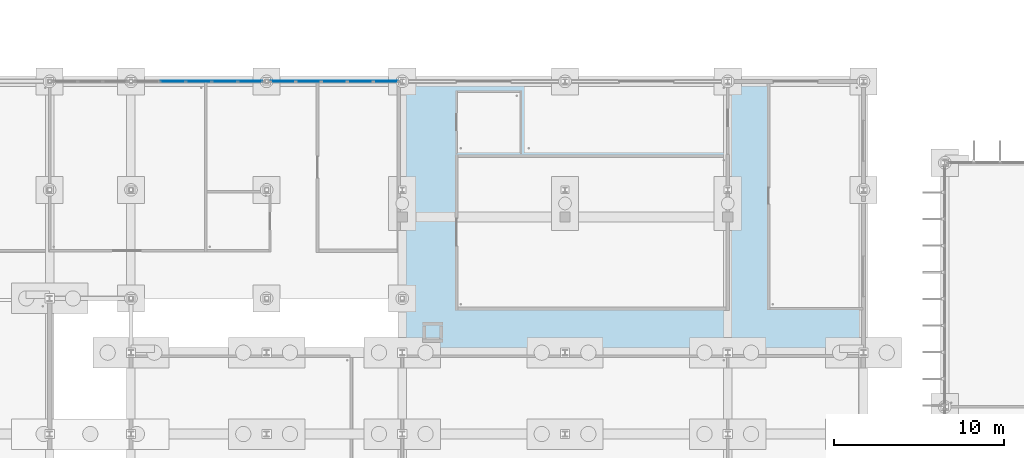
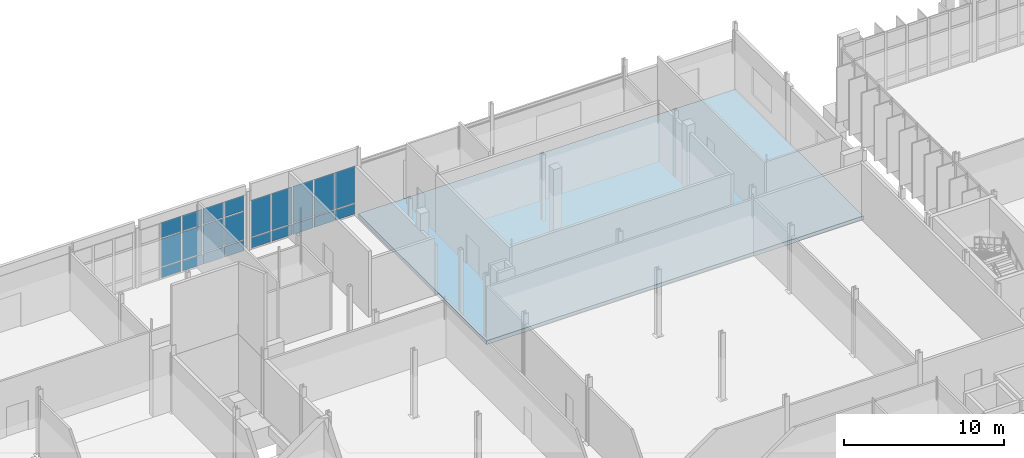
# One storey, part 45 of 111: 22 plates, 1 slab, 2 elements without a shape of their own.
"""IFC4 building model written with IfcOpenShell, lengths in metres."""

import ifcopenshell
import ifcopenshell.guid

model = None  # the IFC model being written
_history = None  # IfcOwnerHistory: only IFC2X3 demands one
_inside = {}  # id of a spatial element -> (the spatial element, [elements in it])
_under = {}  # id of a project, library or spatial element -> (it, [spatial elements below it])
_declared = {}  # id of a project -> (the project, [libraries it declares])
_typed = {}  # id of a type object -> (the type object, [elements of that type])
_made_of = {}  # id of a material, layer set ... -> (it, [elements and type objects made of it])


def new_model(schema):
    """Start an empty IFC model of exactly this schema.

    Asked for "IFC4X3", IfcOpenShell would pick the latest addendum, in which some entities
    have other attributes; the version numbers below select the first issue.
    IFC2X3 requires an IfcOwnerHistory on every rooted entity: one is made here for all.
    """
    global model, _history
    if schema == "IFC4X3":
        model = ifcopenshell.file(schema_version=(4, 3, 0, 0))
    else:
        model = ifcopenshell.file(schema=schema)
    _inside.clear()
    _under.clear()
    _declared.clear()
    _typed.clear()
    _made_of.clear()
    _history = None
    if model.schema == "IFC2X3":
        org = make("IfcOrganization", Name="unknown")
        user = make(
            "IfcPersonAndOrganization",
            ThePerson=make("IfcPerson", FamilyName="unknown"),
            TheOrganization=org,
        )
        app = make(
            "IfcApplication",
            ApplicationDeveloper=org,
            Version="unknown",
            ApplicationFullName="unknown",
            ApplicationIdentifier="unknown",
        )
        _history = make(
            "IfcOwnerHistory",
            OwningUser=user,
            OwningApplication=app,
            ChangeAction="ADDED",
            CreationDate=0,
        )
    return model


def make(cls, **values):
    """One entity of the class cls with the attributes given. An attribute that is None is left unset."""
    return model.create_entity(
        cls, **{name: value for name, value in values.items() if value is not None}
    )


def rooted(cls, **values):
    """An entity with a GlobalId (a new one), such as an element, a storey or a relation."""
    return make(cls, GlobalId=ifcopenshell.guid.new(), OwnerHistory=_history, **values)


def si_unit(unit_type, name, prefix=None):
    """IfcSIUnit, for example si_unit("LENGTHUNIT", "METRE", prefix="MILLI")."""
    return make("IfcSIUnit", UnitType=unit_type, Prefix=prefix, Name=name)


def assignment(units):
    """IfcUnitAssignment: the units of a project."""
    return None if units is None else make("IfcUnitAssignment", Units=units)


def point(xyz):
    """IfcCartesianPoint."""
    return None if xyz is None else make("IfcCartesianPoint", Coordinates=xyz)


def direction(xyz):
    """IfcDirection."""
    return None if xyz is None else make("IfcDirection", DirectionRatios=xyz)


def frame(location, z_axis=None, x_axis=None):
    """IfcAxis2Placement3D, a coordinate frame: its origin and axes. An axis left out is left unset."""
    return make(
        "IfcAxis2Placement3D",
        Location=point(location),
        Axis=direction(z_axis),
        RefDirection=direction(x_axis),
    )


def frame_2d(location, x_axis=None):
    """IfcAxis2Placement2D, a coordinate frame in the plane: its origin and x axis."""
    return make(
        "IfcAxis2Placement2D", Location=point(location), RefDirection=direction(x_axis)
    )


def origin():
    """The frame at (0, 0, 0) with its axes left unset."""
    return frame((0.0, 0.0, 0.0))


def origin_2d():
    """The frame at (0, 0) in the plane with its x axis left unset."""
    return frame_2d((0.0, 0.0))


def place(relative_to, where):
    """IfcLocalPlacement: puts the frame where relative to a parent placement (None: the world)."""
    return make(
        "IfcLocalPlacement", PlacementRelTo=relative_to, RelativePlacement=where
    )


def context(
    kind, dimensions, precision=None, world=None, true_north=None, identifier=None
):
    """IfcGeometricRepresentationContext, for example the 3D "Model" context."""
    return make(
        "IfcGeometricRepresentationContext",
        ContextIdentifier=identifier,
        ContextType=kind,
        CoordinateSpaceDimension=dimensions,
        Precision=precision,
        WorldCoordinateSystem=world,
        TrueNorth=true_north,
    )


def subcontext(parent, identifier, kind, view, scale=None):
    """IfcGeometricRepresentationSubContext, for example "Body" below "Model"."""
    return make(
        "IfcGeometricRepresentationSubContext",
        ContextIdentifier=identifier,
        ContextType=kind,
        ParentContext=parent,
        TargetScale=scale,
        TargetView=view,
    )


def project(units=None, contexts=None):
    """IfcProject with its units and contexts."""
    return rooted(
        "IfcProject",
        Name="project",
        RepresentationContexts=contexts,
        UnitsInContext=assignment(units),
    )


def spatial(cls, under=None, at=None, **own):
    """A site, building, storey or space (cls), placed at a placement, below another one or the project."""
    s = rooted(cls, ObjectPlacement=at, **own)
    if under is not None:
        _under.setdefault(under.id(), (under, []))[1].append(s)
    return s


def polyline(points):
    """IfcPolyline through the points."""
    return make("IfcPolyline", Points=[point(p) for p in points])


def profile(cls, at=None, kind="AREA", **sizes):
    """A parametric profile (cls). Its sizes go by their IFC names, for example OverallWidth=200.0."""
    return make(cls, ProfileType=kind, Position=at, **sizes)


def rectangle(**sizes):
    """IfcRectangleProfileDef."""
    return profile("IfcRectangleProfileDef", **sizes)


def outline(outer, holes=None, kind="AREA"):
    """IfcArbitraryClosedProfileDef: a profile drawn as a closed curve; with holes, ...WithVoids."""
    if holes is None:
        return make("IfcArbitraryClosedProfileDef", ProfileType=kind, OuterCurve=outer)
    return make(
        "IfcArbitraryProfileDefWithVoids",
        ProfileType=kind,
        OuterCurve=outer,
        InnerCurves=holes,
    )


def extrude(swept, where, along, depth):
    """IfcExtrudedAreaSolid: the profile swept, set in the frame where, extruded along a direction by depth."""
    return make(
        "IfcExtrudedAreaSolid",
        SweptArea=swept,
        Position=where,
        ExtrudedDirection=direction(along),
        Depth=depth,
    )


def shape(context_of_items, identifier, shape_type, items):
    """IfcShapeRepresentation: the items that make up one representation, for example the "Body"."""
    return make(
        "IfcShapeRepresentation",
        ContextOfItems=context_of_items,
        RepresentationIdentifier=identifier,
        RepresentationType=shape_type,
        Items=items,
    )


def material(Name=None, Category=None):
    """IfcMaterial."""
    return make("IfcMaterial", Name=Name, Category=Category)


def layer(
    of_material, thickness, ventilated=None, Name=None, Category=None, Priority=None
):
    """IfcMaterialLayer: one layer of a wall or slab, of a material (None: an air gap)."""
    return make(
        "IfcMaterialLayer",
        Material=of_material,
        LayerThickness=thickness,
        IsVentilated=ventilated,
        Name=Name,
        Category=Category,
        Priority=Priority,
    )


def layer_set(layers, Name=None):
    """IfcMaterialLayerSet."""
    return make("IfcMaterialLayerSet", MaterialLayers=layers, LayerSetName=Name)


def made_of(thing, what):
    """Note that an element or type object is made of a material, layer set ...; save() writes the relation."""
    if what is not None:
        _made_of.setdefault(what.id(), (what, []))[1].append(thing)
    return thing


def type_object(cls, material=None, **own):
    """A type object (cls), such as IfcWallType, which elements share."""
    return made_of(rooted(cls, **own), material)


def element(
    cls,
    number,
    at=None,
    inside=None,
    cuts=None,
    type_object=None,
    material=None,
    context=None,
    identifier="Body",
    shape_type=None,
    held_by="IfcProductDefinitionShape",
    body=None,
    shapes=None,
    **own,
):
    """One element of the class cls, such as IfcWall. Its Tag is "e" and its number.

    at: its placement. inside: the storey or other place that contains it. cuts: it is an
    opening in that element (IfcRelVoidsElement). A single representation is given by context,
    identifier, shape_type and body (its items); several are given by shapes. held_by: the class
    of the entity that holds the representations. save() writes the other relations.
    """
    e = rooted(cls, Tag="e%d" % number, ObjectPlacement=at, **own)
    if body is not None:
        shapes = [shape(context, identifier, shape_type, body)]
    if shapes is not None:
        e.Representation = make(held_by, Representations=shapes)
    if inside is not None:
        _inside.setdefault(inside.id(), (inside, []))[1].append(e)
    if cuts is not None:
        rooted(
            "IfcRelVoidsElement", RelatingBuildingElement=cuts, RelatedOpeningElement=e
        )
    if type_object is not None:
        _typed.setdefault(type_object.id(), (type_object, []))[1].append(e)
    return made_of(e, material)


def aggregate(whole, parts):
    """IfcRelAggregates: a whole, such as a stair, and the parts it consists of."""
    return rooted("IfcRelAggregates", RelatingObject=whole, RelatedObjects=parts)


def save(model, path):
    """Write the relations noted so far, then the file.

    IfcRelAggregates (storeys below a building ...), IfcRelContainedInSpatialStructure (elements
    in a storey), IfcRelDefinesByType, IfcRelAssociatesMaterial and IfcRelDeclares: one each for
    every whole, place, type object, material and project.
    """
    for whole, parts in _under.values():
        aggregate(whole, parts)
    for where, things in _inside.values():
        rooted(
            "IfcRelContainedInSpatialStructure",
            RelatedElements=things,
            RelatingStructure=where,
        )
    for kind, things in _typed.values():
        rooted("IfcRelDefinesByType", RelatedObjects=things, RelatingType=kind)
    for what, things in _made_of.values():
        rooted("IfcRelAssociatesMaterial", RelatedObjects=things, RelatingMaterial=what)
    for by, libraries in _declared.values():
        rooted("IfcRelDeclares", RelatingContext=by, RelatedDefinitions=libraries)
    model.write(path)


model = new_model("IFC4")

# Units and contexts
model_context = context("Model", 3, precision=1e-05, world=origin(), true_north=direction((0.0, 1.0)))
body_context = subcontext(model_context, "Body", "Model", "MODEL_VIEW")
ifc_project = project(units=[si_unit("LENGTHUNIT", "METRE"), si_unit("AREAUNIT", "SQUARE_METRE"), si_unit("VOLUMEUNIT", "CUBIC_METRE"), si_unit("PLANEANGLEUNIT", "RADIAN"), si_unit("MASSUNIT", "GRAM", prefix="KILO")], contexts=[model_context])

# Site, building, storey
site_placement = place(None, origin())
site = spatial("IfcSite", under=ifc_project, at=site_placement, CompositionType="ELEMENT")
building_placement = place(site_placement, origin())
building = spatial("IfcBuilding", under=site, at=building_placement, Name="Dunescarp Central Library", CompositionType="ELEMENT")
storey_placement = place(building_placement, origin())
storey = spatial("IfcBuildingStorey", under=building, at=storey_placement, Name="L00", CompositionType="ELEMENT", Elevation=0.0)

# Curtain wall, plates
ifc_material_1 = material(Name="Marine-grade anodised aluminium 6063-T6", Category="aluminium")
curtain_wall_type = type_object("IfcCurtainWallType", Name="ARC-CW-STICK", PredefinedType="NOTDEFINED", material=ifc_material_1)
curtain_wall_1_placement = place(storey_placement, origin())
curtain_wall_1 = element("IfcCurtainWall", 1, at=curtain_wall_1_placement, inside=storey, type_object=curtain_wall_type, Name="L00 curtain wall CW-CLN-191", PredefinedType="NOTDEFINED")
ifc_material_2 = material(Name="Solar-control laminated double glazing", Category="glass")
ifc_layer_1 = layer(ifc_material_2, 0.028076171875)
ifc_layer_set_1 = layer_set([ifc_layer_1], Name="Solar-control laminated double glazing")
plate_type_1 = type_object("IfcPlateType", Name="ARC-PLT-GLZ28", PredefinedType="CURTAIN_PANEL", material=ifc_layer_set_1)
plate_1_placement = place(storey_placement, frame((84.070068359375, 49.60009765625, 0.93994140625), z_axis=(0.0, 0.0, 1.0), x_axis=(1.0, 0.0, 0.0)))
plate_1 = element("IfcPlate", 2, at=plate_1_placement, type_object=plate_type_1, Name="CW-CLN-191 panel 2.2", PredefinedType="CURTAIN_PANEL", context=body_context, shape_type="SweptSolid", body=[
    extrude(rectangle(XDim=1.449951171875, YDim=0.028076171875, at=origin_2d()), origin(), (0.0, 0.0, 1.0), 2.1201171875),
])
plate_2_placement = place(storey_placement, frame((84.070068359375, 49.60009765625, 3.14013671875), z_axis=(0.0, 0.0, 1.0), x_axis=(1.0, 0.0, 0.0)))
plate_2 = element("IfcPlate", 3, at=plate_2_placement, type_object=plate_type_1, Name="CW-CLN-191 panel 2.3", PredefinedType="CURTAIN_PANEL", context=body_context, shape_type="SweptSolid", body=[
    extrude(rectangle(XDim=1.449951171875, YDim=0.028076171875, at=origin_2d()), origin(), (0.0, 0.0, 1.0), 1.152099609375),
])
plate_3_placement = place(storey_placement, frame((85.60009765625, 49.60009765625, 0.93994140625), z_axis=(0.0, 0.0, 1.0), x_axis=(1.0, 0.0, 0.0)))
plate_3 = element("IfcPlate", 4, at=plate_3_placement, type_object=plate_type_1, Name="CW-CLN-191 panel 3.2", PredefinedType="CURTAIN_PANEL", context=body_context, shape_type="SweptSolid", body=[
    extrude(rectangle(XDim=1.449951171875, YDim=0.028076171875, at=origin_2d()), origin(), (0.0, 0.0, 1.0), 2.1201171875),
])
plate_4_placement = place(storey_placement, frame((85.60009765625, 49.60009765625, 3.14013671875), z_axis=(0.0, 0.0, 1.0), x_axis=(1.0, 0.0, 0.0)))
plate_4 = element("IfcPlate", 5, at=plate_4_placement, type_object=plate_type_1, Name="CW-CLN-191 panel 3.3", PredefinedType="CURTAIN_PANEL", context=body_context, shape_type="SweptSolid", body=[
    extrude(rectangle(XDim=1.449951171875, YDim=0.028076171875, at=origin_2d()), origin(), (0.0, 0.0, 1.0), 1.152099609375),
])
plate_5_placement = place(storey_placement, frame((87.1298828125, 49.60009765625, 0.93994140625), z_axis=(0.0, 0.0, 1.0), x_axis=(1.0, 0.0, 0.0)))
plate_5 = element("IfcPlate", 6, at=plate_5_placement, type_object=plate_type_1, Name="CW-CLN-191 panel 4.2", PredefinedType="CURTAIN_PANEL", context=body_context, shape_type="SweptSolid", body=[
    extrude(rectangle(XDim=1.449951171875, YDim=0.028076171875, at=origin_2d()), origin(), (0.0, 0.0, 1.0), 2.1201171875),
])
plate_6_placement = place(storey_placement, frame((87.1298828125, 49.60009765625, 3.14013671875), z_axis=(0.0, 0.0, 1.0), x_axis=(1.0, 0.0, 0.0)))
plate_6 = element("IfcPlate", 7, at=plate_6_placement, type_object=plate_type_1, Name="CW-CLN-191 panel 4.3", PredefinedType="CURTAIN_PANEL", context=body_context, shape_type="SweptSolid", body=[
    extrude(rectangle(XDim=1.449951171875, YDim=0.028076171875, at=origin_2d()), origin(), (0.0, 0.0, 1.0), 1.152099609375),
])
plate_7_placement = place(storey_placement, frame((88.639892578125, 49.60009765625, 0.93994140625), z_axis=(0.0, 0.0, 1.0), x_axis=(1.0, 0.0, 0.0)))
plate_7 = element("IfcPlate", 8, at=plate_7_placement, type_object=plate_type_1, Name="CW-CLN-191 panel 5.2", PredefinedType="CURTAIN_PANEL", context=body_context, shape_type="SweptSolid", body=[
    extrude(rectangle(XDim=1.409912109375, YDim=0.028076171875, at=origin_2d()), origin(), (0.0, 0.0, 1.0), 2.1201171875),
])
plate_8_placement = place(storey_placement, frame((88.639892578125, 49.60009765625, 3.14013671875), z_axis=(0.0, 0.0, 1.0), x_axis=(1.0, 0.0, 0.0)))
plate_8 = element("IfcPlate", 9, at=plate_8_placement, type_object=plate_type_1, Name="CW-CLN-191 panel 5.3", PredefinedType="CURTAIN_PANEL", context=body_context, shape_type="SweptSolid", body=[
    extrude(rectangle(XDim=1.409912109375, YDim=0.028076171875, at=origin_2d()), origin(), (0.0, 0.0, 1.0), 1.152099609375),
])

curtain_wall_2_placement = place(storey_placement, origin())
curtain_wall_2 = element("IfcCurtainWall", 10, at=curtain_wall_2_placement, inside=storey, type_object=curtain_wall_type, Name="L00 curtain wall CW-CLN-192", PredefinedType="NOTDEFINED")
plate_9_placement = place(storey_placement, frame((90.56005859375, 49.60009765625, 0.93994140625), z_axis=(0.0, 0.0, 1.0), x_axis=(1.0, 0.0, 0.0)))
plate_9 = element("IfcPlate", 11, at=plate_9_placement, type_object=plate_type_1, Name="CW-CLN-192 panel 1.2", PredefinedType="CURTAIN_PANEL", context=body_context, shape_type="SweptSolid", body=[
    extrude(rectangle(XDim=1.409912109375, YDim=0.028076171875, at=origin_2d()), origin(), (0.0, 0.0, 1.0), 2.784912109375),
])
plate_10_placement = place(storey_placement, frame((92.070068359375, 49.60009765625, 0.93994140625), z_axis=(0.0, 0.0, 1.0), x_axis=(1.0, 0.0, 0.0)))
plate_10 = element("IfcPlate", 12, at=plate_10_placement, type_object=plate_type_1, Name="CW-CLN-192 panel 2.2", PredefinedType="CURTAIN_PANEL", context=body_context, shape_type="SweptSolid", body=[
    extrude(rectangle(XDim=1.449951171875, YDim=0.028076171875, at=origin_2d()), origin(), (0.0, 0.0, 1.0), 2.784912109375),
])
plate_11_placement = place(storey_placement, frame((93.60009765625, 49.60009765625, 0.93994140625), z_axis=(0.0, 0.0, 1.0), x_axis=(1.0, 0.0, 0.0)))
plate_11 = element("IfcPlate", 13, at=plate_11_placement, type_object=plate_type_1, Name="CW-CLN-192 panel 3.2", PredefinedType="CURTAIN_PANEL", context=body_context, shape_type="SweptSolid", body=[
    extrude(rectangle(XDim=1.449951171875, YDim=0.028076171875, at=origin_2d()), origin(), (0.0, 0.0, 1.0), 2.784912109375),
])
plate_12_placement = place(storey_placement, frame((95.1298828125, 49.60009765625, 0.93994140625), z_axis=(0.0, 0.0, 1.0), x_axis=(1.0, 0.0, 0.0)))
plate_12 = element("IfcPlate", 14, at=plate_12_placement, type_object=plate_type_1, Name="CW-CLN-192 panel 4.2", PredefinedType="CURTAIN_PANEL", context=body_context, shape_type="SweptSolid", body=[
    extrude(rectangle(XDim=1.449951171875, YDim=0.028076171875, at=origin_2d()), origin(), (0.0, 0.0, 1.0), 2.784912109375),
])
plate_13_placement = place(storey_placement, frame((96.639892578125, 49.60009765625, 0.93994140625), z_axis=(0.0, 0.0, 1.0), x_axis=(1.0, 0.0, 0.0)))
plate_13 = element("IfcPlate", 15, at=plate_13_placement, type_object=plate_type_1, Name="CW-CLN-192 panel 5.2", PredefinedType="CURTAIN_PANEL", context=body_context, shape_type="SweptSolid", body=[
    extrude(rectangle(XDim=1.409912109375, YDim=0.028076171875, at=origin_2d()), origin(), (0.0, 0.0, 1.0), 2.784912109375),
])

# Plate
ifc_layer_2 = layer(ifc_material_1, 0.050048828125)
ifc_layer_set_2 = layer_set([ifc_layer_2], Name="Marine-grade anodised aluminium 6063-T6")
plate_type_2 = type_object("IfcPlateType", Name="ARC-PLT-SPN50", PredefinedType="SHEET", material=ifc_layer_set_2)
plate_14_placement = place(storey_placement, frame((84.070068359375, 49.60009765625, 0.080078125), z_axis=(0.0, 0.0, 1.0), x_axis=(1.0, 0.0, 0.0)))
plate_14 = element("IfcPlate", 16, at=plate_14_placement, type_object=plate_type_2, Name="CW-CLN-191 panel 2.1", PredefinedType="SHEET", context=body_context, shape_type="SweptSolid", body=[
    extrude(rectangle(XDim=1.449951171875, YDim=0.050048828125, at=origin_2d()), origin(), (0.0, 0.0, 1.0), 0.780029296875),
])

plate_15_placement = place(storey_placement, frame((85.60009765625, 49.60009765625, 0.080078125), z_axis=(0.0, 0.0, 1.0), x_axis=(1.0, 0.0, 0.0)))
plate_15 = element("IfcPlate", 17, at=plate_15_placement, type_object=plate_type_2, Name="CW-CLN-191 panel 3.1", PredefinedType="SHEET", context=body_context, shape_type="SweptSolid", body=[
    extrude(rectangle(XDim=1.449951171875, YDim=0.050048828125, at=origin_2d()), origin(), (0.0, 0.0, 1.0), 0.780029296875),
])

plate_16_placement = place(storey_placement, frame((87.1298828125, 49.60009765625, 0.080078125), z_axis=(0.0, 0.0, 1.0), x_axis=(1.0, 0.0, 0.0)))
plate_16 = element("IfcPlate", 18, at=plate_16_placement, type_object=plate_type_2, Name="CW-CLN-191 panel 4.1", PredefinedType="SHEET", context=body_context, shape_type="SweptSolid", body=[
    extrude(rectangle(XDim=1.449951171875, YDim=0.050048828125, at=origin_2d()), origin(), (0.0, 0.0, 1.0), 0.780029296875),
])

plate_17_placement = place(storey_placement, frame((88.639892578125, 49.60009765625, 0.080078125), z_axis=(0.0, 0.0, 1.0), x_axis=(1.0, 0.0, 0.0)))
plate_17 = element("IfcPlate", 19, at=plate_17_placement, type_object=plate_type_2, Name="CW-CLN-191 panel 5.1", PredefinedType="SHEET", context=body_context, shape_type="SweptSolid", body=[
    extrude(rectangle(XDim=1.409912109375, YDim=0.050048828125, at=origin_2d()), origin(), (0.0, 0.0, 1.0), 0.780029296875),
])

aggregate(curtain_wall_1, [plate_14, plate_1, plate_2, plate_15, plate_3, plate_4, plate_16, plate_5, plate_6, plate_17, plate_7, plate_8])

plate_18_placement = place(storey_placement, frame((90.56005859375, 49.60009765625, 0.080078125), z_axis=(0.0, 0.0, 1.0), x_axis=(1.0, 0.0, 0.0)))
plate_18 = element("IfcPlate", 20, at=plate_18_placement, type_object=plate_type_2, Name="CW-CLN-192 panel 1.1", PredefinedType="SHEET", context=body_context, shape_type="SweptSolid", body=[
    extrude(rectangle(XDim=1.409912109375, YDim=0.050048828125, at=origin_2d()), origin(), (0.0, 0.0, 1.0), 0.780029296875),
])

plate_19_placement = place(storey_placement, frame((92.070068359375, 49.60009765625, 0.080078125), z_axis=(0.0, 0.0, 1.0), x_axis=(1.0, 0.0, 0.0)))
plate_19 = element("IfcPlate", 21, at=plate_19_placement, type_object=plate_type_2, Name="CW-CLN-192 panel 2.1", PredefinedType="SHEET", context=body_context, shape_type="SweptSolid", body=[
    extrude(rectangle(XDim=1.449951171875, YDim=0.050048828125, at=origin_2d()), origin(), (0.0, 0.0, 1.0), 0.780029296875),
])

plate_20_placement = place(storey_placement, frame((93.60009765625, 49.60009765625, 0.080078125), z_axis=(0.0, 0.0, 1.0), x_axis=(1.0, 0.0, 0.0)))
plate_20 = element("IfcPlate", 22, at=plate_20_placement, type_object=plate_type_2, Name="CW-CLN-192 panel 3.1", PredefinedType="SHEET", context=body_context, shape_type="SweptSolid", body=[
    extrude(rectangle(XDim=1.449951171875, YDim=0.050048828125, at=origin_2d()), origin(), (0.0, 0.0, 1.0), 0.780029296875),
])

plate_21_placement = place(storey_placement, frame((95.1298828125, 49.60009765625, 0.080078125), z_axis=(0.0, 0.0, 1.0), x_axis=(1.0, 0.0, 0.0)))
plate_21 = element("IfcPlate", 23, at=plate_21_placement, type_object=plate_type_2, Name="CW-CLN-192 panel 4.1", PredefinedType="SHEET", context=body_context, shape_type="SweptSolid", body=[
    extrude(rectangle(XDim=1.449951171875, YDim=0.050048828125, at=origin_2d()), origin(), (0.0, 0.0, 1.0), 0.780029296875),
])

plate_22_placement = place(storey_placement, frame((96.639892578125, 49.60009765625, 0.080078125), z_axis=(0.0, 0.0, 1.0), x_axis=(1.0, 0.0, 0.0)))
plate_22 = element("IfcPlate", 24, at=plate_22_placement, type_object=plate_type_2, Name="CW-CLN-192 panel 5.1", PredefinedType="SHEET", context=body_context, shape_type="SweptSolid", body=[
    extrude(rectangle(XDim=1.409912109375, YDim=0.050048828125, at=origin_2d()), origin(), (0.0, 0.0, 1.0), 0.780029296875),
])

aggregate(curtain_wall_2, [plate_18, plate_9, plate_19, plate_10, plate_20, plate_11, plate_21, plate_12, plate_22, plate_13])

# Slab
ifc_material_3 = material(Name="Concrete C35/45", Category="concrete")
ifc_layer_3 = layer(ifc_material_3, 0.300048828125)
ifc_layer_set_3 = layer_set([ifc_layer_3], Name="Concrete C35/45")
slab_type = type_object("IfcSlabType", Name="STR-SLB-BASE300", PredefinedType="BASESLAB", material=ifc_layer_set_3)
slab_placement = place(storey_placement, frame((0.0, 0.0, -0.300048828125)))
element("IfcSlab", 25, at=slab_placement, inside=storey, type_object=slab_type, Name="L00 V3D slab", PredefinedType="BASESLAB", context=body_context, shape_type="SweptSolid", body=[
    extrude(outline(polyline([(97.60009765625, 33.60009765625), (124.800048828125, 33.60009765625), (124.800048828125, 49.60009765625), (97.60009765625, 49.60009765625), (97.60009765625, 33.60009765625)])), origin(), (0.0, 0.0, 1.0), 0.300048828125),
])

save(model, "model.ifc")
